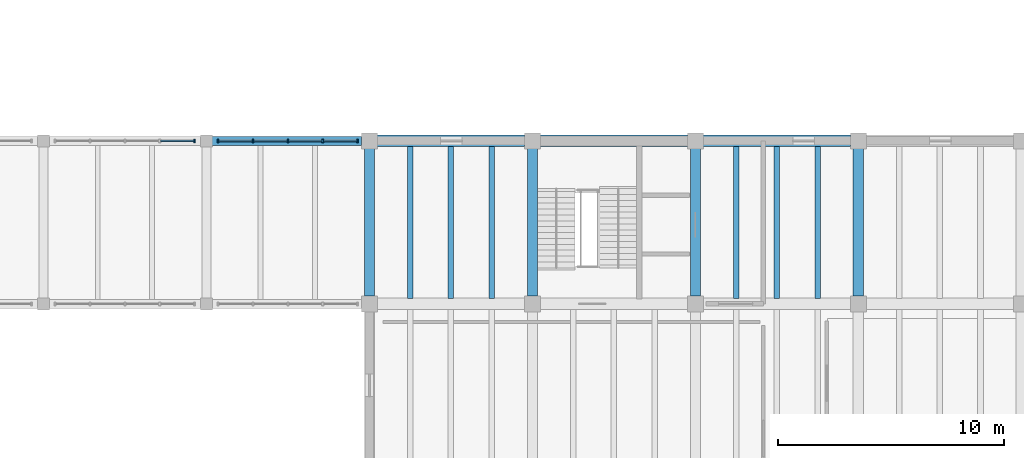
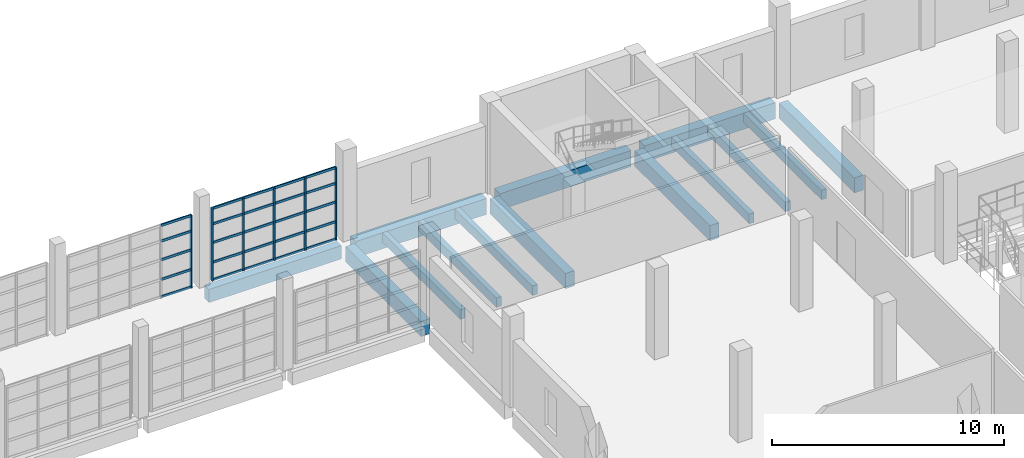
# One storey, part 46 of 77: 31 members, 14 beams, 2 elements without a shape of their own.
"""IFC4 building model written with IfcOpenShell, lengths in metres."""

from ifc_helpers import new_model, si_unit, direction, frame, origin, origin_2d, place, context, subcontext, project, spatial, rectangle, extrude, material, material_profile, profile_set, type_object, element, aggregate, save


model = new_model("IFC4")

# Units and contexts
model_context = context("Model", 3, precision=1e-05, world=origin(), true_north=direction((0.0, 1.0)))
body_context = subcontext(model_context, "Body", "Model", "MODEL_VIEW")
ifc_project = project(units=[si_unit("LENGTHUNIT", "METRE"), si_unit("AREAUNIT", "SQUARE_METRE"), si_unit("VOLUMEUNIT", "CUBIC_METRE"), si_unit("PLANEANGLEUNIT", "RADIAN"), si_unit("MASSUNIT", "GRAM", prefix="KILO")], contexts=[model_context])

# Site, building, storey
site_placement = place(None, origin())
site = spatial("IfcSite", under=ifc_project, at=site_placement, CompositionType="ELEMENT")
building_placement = place(site_placement, origin())
building = spatial("IfcBuilding", under=site, at=building_placement, Name="Qiaolan Assembly House", CompositionType="ELEMENT")
storey_placement = place(building_placement, frame((0.0, 0.0, 5.39990234375)))
storey = spatial("IfcBuildingStorey", under=building, at=storey_placement, Name="L01", CompositionType="ELEMENT", Elevation=5.39990234375)

# Beams
ifc_material_1 = material(Name="Concrete C40/50", Category="concrete")
ifc_material_profile_1 = material_profile(ifc_material_1, rectangle(XDim=0.39990234375, YDim=0.699951171875, at=origin_2d()), Name="RCB 400x700")
ifc_profile_set_1 = profile_set([ifc_material_profile_1], Name="Concrete C40/50")
beam_type_1 = type_object("IfcBeamType", Name="BM-RC-400x700", PredefinedType="BEAM", material=ifc_profile_set_1)
beam_placement = place(storey_placement, frame((129.85009765625, 86.39990234375, -0.619873046875), z_axis=(1.0, 0.0, 0.0), x_axis=(0.0, 1.0, 0.0)))
element("IfcBeam", 1, at=beam_placement, inside=storey, type_object=beam_type_1, Name="GB-05 beam BMX-CLN-L01-03-01", PredefinedType="BEAM", context=body_context, shape_type="SweptSolid", body=[
    extrude(rectangle(XDim=0.39990234375, YDim=0.699951171875, at=origin_2d()), origin(), (0.0, 0.0, 1.0), 6.60986328125),
])
ifc_material_profile_2 = material_profile(ifc_material_1, rectangle(XDim=0.449951171875, YDim=0.800048828125, at=origin_2d()), Name="RCB 450x800")
ifc_profile_set_2 = profile_set([ifc_material_profile_2], Name="Concrete C40/50")
beam_type_2 = type_object("IfcBeamType", Name="BM-RC-450x800", PredefinedType="BEAM", material=ifc_profile_set_2)
for number, where, z_axis, x_axis, name in (
    (2, (136.800048828125, 79.5400390625, -0.669921875), (0.0, 1.0, 0.0), (-1.0, 0.0, 0.0), "GB-03 beam BMY-LB-L01-00-07"),
    (3, (144.0, 79.5400390625, -0.669921875), (0.0, 1.0, 0.0), (-1.0, 0.0, 0.0), "GB-03 beam BMY-LB-L01-01-07"),
    (4, (151.199951171875, 79.5400390625, -0.669921875), (0.0, 1.0, 0.0), (-1.0, 0.0, 0.0), "GB-03 beam BMY-LB-L01-02-07"),
    (5, (158.39990234375, 79.5400390625, -0.669921875), (0.0, 1.0, 0.0), (-1.0, 0.0, 0.0), "GB-03 beam BMY-LB-L01-03-07"),
):
    element("IfcBeam", number, at=place(storey_placement, frame(where, z_axis=z_axis, x_axis=x_axis)), inside=storey, type_object=beam_type_2, Name=name, PredefinedType="BEAM", context=body_context, shape_type="SweptSolid", body=[
        extrude(rectangle(XDim=0.449951171875, YDim=0.800048828125, at=origin_2d()), origin(), (0.0, 0.0, 1.0), 6.52001953125),
    ])
ifc_material_2 = material(Name="Concrete C45/55", Category="concrete")
ifc_material_profile_3 = material_profile(ifc_material_2, rectangle(XDim=0.5, YDim=0.85009765625, at=origin_2d()), Name="RCB 500x850")
ifc_profile_set_3 = profile_set([ifc_material_profile_3], Name="Concrete C45/55")
beam_type_3 = type_object("IfcBeamType", Name="BM-RC-500x850", PredefinedType="BEAM", material=ifc_profile_set_3)
for number, where, z_axis, x_axis, name in (
    (6, (137.139892578125, 86.39990234375, -0.69482421875), (1.0, 0.0, 0.0), (0.0, 1.0, 0.0), "GB-02 beam BMX-LB-L01-00-08"),
    (7, (144.340087890625, 86.39990234375, -0.69482421875), (1.0, 0.0, 0.0), (0.0, 1.0, 0.0), "GB-02 beam BMX-LB-L01-01-08"),
    (8, (151.5400390625, 86.39990234375, -0.69482421875), (1.0, 0.0, 0.0), (0.0, 1.0, 0.0), "GB-02 beam BMX-LB-L01-02-08"),
):
    element("IfcBeam", number, at=place(storey_placement, frame(where, z_axis=z_axis, x_axis=x_axis)), inside=storey, type_object=beam_type_3, Name=name, PredefinedType="BEAM", context=body_context, shape_type="SweptSolid", body=[
        extrude(rectangle(XDim=0.5, YDim=0.85009765625, at=origin_2d()), origin(), (0.0, 0.0, 1.0), 6.52001953125),
    ])

# Curtain wall, member
ifc_material_3 = material(Name="Anodised bronze aluminium", Category="aluminium")
curtain_wall_type = type_object("IfcCurtainWallType", Name="CW-CLOISTER-420", PredefinedType="NOTDEFINED", material=ifc_material_3)
curtain_wall_1_placement = place(storey_placement, origin())
curtain_wall_1 = element("IfcCurtainWall", 9, at=curtain_wall_1_placement, inside=storey, type_object=curtain_wall_type, Name="CW-05 North Cloister outer arcade L01-3", PredefinedType="NOTDEFINED")
ifc_material_profile_4 = material_profile(ifc_material_3, rectangle(XDim=0.070068359375, YDim=0.155029296875, at=origin_2d()), Name="MUL 70x155")
ifc_profile_set_4 = profile_set([ifc_material_profile_4], Name="Anodised bronze aluminium")
member_type_1 = type_object("IfcMemberType", Name="CW-CLOISTER-420-MUL", PredefinedType="MULLION", material=ifc_profile_set_4)
member_1_placement = place(storey_placement, frame((129.080078125, 86.39990234375, 0.0), z_axis=(0.0, 0.0, 1.0), x_axis=(-1.0, 0.0, 0.0)))
member_1 = element("IfcMember", 10, at=member_1_placement, type_object=member_type_1, Name="ML-06 mullion CW-CLN-OUT-L01-2-1", PredefinedType="MULLION", context=body_context, shape_type="SweptSolid", body=[
    extrude(rectangle(XDim=0.070068359375, YDim=0.155029296875, at=origin_2d()), origin(), (0.0, 0.0, 1.0), 3.820068359375),
])

# Curtain wall, members
curtain_wall_2_placement = place(storey_placement, origin())
curtain_wall_2 = element("IfcCurtainWall", 11, at=curtain_wall_2_placement, inside=storey, type_object=curtain_wall_type, Name="CW-05 North Cloister outer arcade L01-4", PredefinedType="NOTDEFINED")
member_2_placement = place(storey_placement, frame((136.280029296875, 86.39990234375, 0.0), z_axis=(0.0, 0.0, 1.0), x_axis=(-1.0, 0.0, 0.0)))
member_2 = element("IfcMember", 12, at=member_2_placement, type_object=member_type_1, Name="ML-06 mullion CW-CLN-OUT-L01-3-1", PredefinedType="MULLION", context=body_context, shape_type="SweptSolid", body=[
    extrude(rectangle(XDim=0.070068359375, YDim=0.155029296875, at=origin_2d()), origin(), (0.0, 0.0, 1.0), 3.820068359375),
])
member_3_placement = place(storey_placement, frame((134.739990234375, 86.39990234375, 0.0), z_axis=(0.0, 0.0, 1.0), x_axis=(-1.0, 0.0, 0.0)))
member_3 = element("IfcMember", 13, at=member_3_placement, type_object=member_type_1, Name="ML-06 mullion CW-CLN-OUT-L01-3-2", PredefinedType="MULLION", context=body_context, shape_type="SweptSolid", body=[
    extrude(rectangle(XDim=0.070068359375, YDim=0.155029296875, at=origin_2d()), origin(), (0.0, 0.0, 1.0), 3.820068359375),
])
member_4_placement = place(storey_placement, frame((133.199951171875, 86.39990234375, 0.0), z_axis=(0.0, 0.0, 1.0), x_axis=(-1.0, 0.0, 0.0)))
member_4 = element("IfcMember", 14, at=member_4_placement, type_object=member_type_1, Name="ML-06 mullion CW-CLN-OUT-L01-3-3", PredefinedType="MULLION", context=body_context, shape_type="SweptSolid", body=[
    extrude(rectangle(XDim=0.070068359375, YDim=0.155029296875, at=origin_2d()), origin(), (0.0, 0.0, 1.0), 3.820068359375),
])
member_5_placement = place(storey_placement, frame((131.659912109375, 86.39990234375, 0.0), z_axis=(0.0, 0.0, 1.0), x_axis=(-1.0, 0.0, 0.0)))
member_5 = element("IfcMember", 15, at=member_5_placement, type_object=member_type_1, Name="ML-06 mullion CW-CLN-OUT-L01-3-4", PredefinedType="MULLION", context=body_context, shape_type="SweptSolid", body=[
    extrude(rectangle(XDim=0.070068359375, YDim=0.155029296875, at=origin_2d()), origin(), (0.0, 0.0, 1.0), 3.820068359375),
])
member_6_placement = place(storey_placement, frame((130.1201171875, 86.39990234375, 0.0), z_axis=(0.0, 0.0, 1.0), x_axis=(-1.0, 0.0, 0.0)))
member_6 = element("IfcMember", 16, at=member_6_placement, type_object=member_type_1, Name="ML-06 mullion CW-CLN-OUT-L01-3-5", PredefinedType="MULLION", context=body_context, shape_type="SweptSolid", body=[
    extrude(rectangle(XDim=0.070068359375, YDim=0.155029296875, at=origin_2d()), origin(), (0.0, 0.0, 1.0), 3.820068359375),
])

# Member
ifc_material_profile_5 = material_profile(ifc_material_3, rectangle(XDim=0.06201171875, YDim=0.125, at=origin_2d()), Name="TRN 62x125")
ifc_profile_set_5 = profile_set([ifc_material_profile_5], Name="Anodised bronze aluminium")
member_type_2 = type_object("IfcMemberType", Name="CW-CLOISTER-420-TRN", PredefinedType="USERDEFINED", material=ifc_profile_set_5)
member_7_placement = place(storey_placement, frame((129.044921875, 86.39990234375, 0.030029296875), z_axis=(-1.0, 0.0, 0.0), x_axis=(0.0, -1.0, 0.0)))
member_7 = element("IfcMember", 17, at=member_7_placement, type_object=member_type_2, Name="TR-06 transom CW-CLN-OUT-L01-2-1-1", ObjectType="TRANSOM", PredefinedType="USERDEFINED", context=body_context, shape_type="SweptSolid", body=[
    extrude(rectangle(XDim=0.06201171875, YDim=0.125, at=origin_2d()), origin(), (0.0, 0.0, 1.0), 1.469970703125),
])

member_8_placement = place(storey_placement, frame((129.044921875, 86.39990234375, 0.9501953125), z_axis=(-1.0, 0.0, 0.0), x_axis=(0.0, -1.0, 0.0)))
member_8 = element("IfcMember", 18, at=member_8_placement, type_object=member_type_2, Name="TR-06 transom CW-CLN-OUT-L01-2-1-2", ObjectType="TRANSOM", PredefinedType="USERDEFINED", context=body_context, shape_type="SweptSolid", body=[
    extrude(rectangle(XDim=0.06201171875, YDim=0.125, at=origin_2d()), origin(), (0.0, 0.0, 1.0), 1.469970703125),
])

member_9_placement = place(storey_placement, frame((129.044921875, 86.39990234375, 1.986572265625), z_axis=(-1.0, 0.0, 0.0), x_axis=(0.0, -1.0, 0.0)))
member_9 = element("IfcMember", 19, at=member_9_placement, type_object=member_type_2, Name="TR-06 transom CW-CLN-OUT-L01-2-1-3", ObjectType="TRANSOM", PredefinedType="USERDEFINED", context=body_context, shape_type="SweptSolid", body=[
    extrude(rectangle(XDim=0.06201171875, YDim=0.125, at=origin_2d()), origin(), (0.0, 0.0, 1.0), 1.469970703125),
])

member_10_placement = place(storey_placement, frame((129.044921875, 86.39990234375, 2.97021484375), z_axis=(-1.0, 0.0, 0.0), x_axis=(0.0, -1.0, 0.0)))
member_10 = element("IfcMember", 20, at=member_10_placement, type_object=member_type_2, Name="TR-06 transom CW-CLN-OUT-L01-2-1-4", ObjectType="TRANSOM", PredefinedType="USERDEFINED", context=body_context, shape_type="SweptSolid", body=[
    extrude(rectangle(XDim=0.06201171875, YDim=0.125, at=origin_2d()), origin(), (0.0, 0.0, 1.0), 1.469970703125),
])

member_11_placement = place(storey_placement, frame((129.044921875, 86.39990234375, 3.7900390625), z_axis=(-1.0, 0.0, 0.0), x_axis=(0.0, -1.0, 0.0)))
member_11 = element("IfcMember", 21, at=member_11_placement, type_object=member_type_2, Name="TR-06 transom CW-CLN-OUT-L01-2-1-5", ObjectType="TRANSOM", PredefinedType="USERDEFINED", context=body_context, shape_type="SweptSolid", body=[
    extrude(rectangle(XDim=0.06201171875, YDim=0.125, at=origin_2d()), origin(), (0.0, 0.0, 1.0), 1.469970703125),
])

aggregate(curtain_wall_1, [member_1, member_7, member_8, member_9, member_10, member_11])

member_12_placement = place(storey_placement, frame((136.2451171875, 86.39990234375, 0.030029296875), z_axis=(-1.0, 0.0, 0.0), x_axis=(0.0, -1.0, 0.0)))
member_12 = element("IfcMember", 22, at=member_12_placement, type_object=member_type_2, Name="TR-06 transom CW-CLN-OUT-L01-3-1-1", ObjectType="TRANSOM", PredefinedType="USERDEFINED", context=body_context, shape_type="SweptSolid", body=[
    extrude(rectangle(XDim=0.06201171875, YDim=0.125, at=origin_2d()), origin(), (0.0, 0.0, 1.0), 1.47021484375),
])

member_13_placement = place(storey_placement, frame((136.2451171875, 86.39990234375, 0.9501953125), z_axis=(-1.0, 0.0, 0.0), x_axis=(0.0, -1.0, 0.0)))
member_13 = element("IfcMember", 23, at=member_13_placement, type_object=member_type_2, Name="TR-06 transom CW-CLN-OUT-L01-3-1-2", ObjectType="TRANSOM", PredefinedType="USERDEFINED", context=body_context, shape_type="SweptSolid", body=[
    extrude(rectangle(XDim=0.06201171875, YDim=0.125, at=origin_2d()), origin(), (0.0, 0.0, 1.0), 1.47021484375),
])

member_14_placement = place(storey_placement, frame((136.2451171875, 86.39990234375, 1.986572265625), z_axis=(-1.0, 0.0, 0.0), x_axis=(0.0, -1.0, 0.0)))
member_14 = element("IfcMember", 24, at=member_14_placement, type_object=member_type_2, Name="TR-06 transom CW-CLN-OUT-L01-3-1-3", ObjectType="TRANSOM", PredefinedType="USERDEFINED", context=body_context, shape_type="SweptSolid", body=[
    extrude(rectangle(XDim=0.06201171875, YDim=0.125, at=origin_2d()), origin(), (0.0, 0.0, 1.0), 1.47021484375),
])

member_15_placement = place(storey_placement, frame((136.2451171875, 86.39990234375, 2.97021484375), z_axis=(-1.0, 0.0, 0.0), x_axis=(0.0, -1.0, 0.0)))
member_15 = element("IfcMember", 25, at=member_15_placement, type_object=member_type_2, Name="TR-06 transom CW-CLN-OUT-L01-3-1-4", ObjectType="TRANSOM", PredefinedType="USERDEFINED", context=body_context, shape_type="SweptSolid", body=[
    extrude(rectangle(XDim=0.06201171875, YDim=0.125, at=origin_2d()), origin(), (0.0, 0.0, 1.0), 1.47021484375),
])

member_16_placement = place(storey_placement, frame((136.2451171875, 86.39990234375, 3.7900390625), z_axis=(-1.0, 0.0, 0.0), x_axis=(0.0, -1.0, 0.0)))
member_16 = element("IfcMember", 26, at=member_16_placement, type_object=member_type_2, Name="TR-06 transom CW-CLN-OUT-L01-3-1-5", ObjectType="TRANSOM", PredefinedType="USERDEFINED", context=body_context, shape_type="SweptSolid", body=[
    extrude(rectangle(XDim=0.06201171875, YDim=0.125, at=origin_2d()), origin(), (0.0, 0.0, 1.0), 1.47021484375),
])

member_17_placement = place(storey_placement, frame((134.705078125, 86.39990234375, 0.030029296875), z_axis=(-1.0, 0.0, 0.0), x_axis=(0.0, -1.0, 0.0)))
member_17 = element("IfcMember", 27, at=member_17_placement, type_object=member_type_2, Name="TR-06 transom CW-CLN-OUT-L01-3-2-1", ObjectType="TRANSOM", PredefinedType="USERDEFINED", context=body_context, shape_type="SweptSolid", body=[
    extrude(rectangle(XDim=0.06201171875, YDim=0.125, at=origin_2d()), origin(), (0.0, 0.0, 1.0), 1.469970703125),
])

member_18_placement = place(storey_placement, frame((134.705078125, 86.39990234375, 0.9501953125), z_axis=(-1.0, 0.0, 0.0), x_axis=(0.0, -1.0, 0.0)))
member_18 = element("IfcMember", 28, at=member_18_placement, type_object=member_type_2, Name="TR-06 transom CW-CLN-OUT-L01-3-2-2", ObjectType="TRANSOM", PredefinedType="USERDEFINED", context=body_context, shape_type="SweptSolid", body=[
    extrude(rectangle(XDim=0.06201171875, YDim=0.125, at=origin_2d()), origin(), (0.0, 0.0, 1.0), 1.469970703125),
])

member_19_placement = place(storey_placement, frame((134.705078125, 86.39990234375, 1.986572265625), z_axis=(-1.0, 0.0, 0.0), x_axis=(0.0, -1.0, 0.0)))
member_19 = element("IfcMember", 29, at=member_19_placement, type_object=member_type_2, Name="TR-06 transom CW-CLN-OUT-L01-3-2-3", ObjectType="TRANSOM", PredefinedType="USERDEFINED", context=body_context, shape_type="SweptSolid", body=[
    extrude(rectangle(XDim=0.06201171875, YDim=0.125, at=origin_2d()), origin(), (0.0, 0.0, 1.0), 1.469970703125),
])

member_20_placement = place(storey_placement, frame((134.705078125, 86.39990234375, 2.97021484375), z_axis=(-1.0, 0.0, 0.0), x_axis=(0.0, -1.0, 0.0)))
member_20 = element("IfcMember", 30, at=member_20_placement, type_object=member_type_2, Name="TR-06 transom CW-CLN-OUT-L01-3-2-4", ObjectType="TRANSOM", PredefinedType="USERDEFINED", context=body_context, shape_type="SweptSolid", body=[
    extrude(rectangle(XDim=0.06201171875, YDim=0.125, at=origin_2d()), origin(), (0.0, 0.0, 1.0), 1.469970703125),
])

member_21_placement = place(storey_placement, frame((134.705078125, 86.39990234375, 3.7900390625), z_axis=(-1.0, 0.0, 0.0), x_axis=(0.0, -1.0, 0.0)))
member_21 = element("IfcMember", 31, at=member_21_placement, type_object=member_type_2, Name="TR-06 transom CW-CLN-OUT-L01-3-2-5", ObjectType="TRANSOM", PredefinedType="USERDEFINED", context=body_context, shape_type="SweptSolid", body=[
    extrude(rectangle(XDim=0.06201171875, YDim=0.125, at=origin_2d()), origin(), (0.0, 0.0, 1.0), 1.469970703125),
])

member_22_placement = place(storey_placement, frame((133.1650390625, 86.39990234375, 0.030029296875), z_axis=(-1.0, 0.0, 0.0), x_axis=(0.0, -1.0, 0.0)))
member_22 = element("IfcMember", 32, at=member_22_placement, type_object=member_type_2, Name="TR-06 transom CW-CLN-OUT-L01-3-3-1", ObjectType="TRANSOM", PredefinedType="USERDEFINED", context=body_context, shape_type="SweptSolid", body=[
    extrude(rectangle(XDim=0.06201171875, YDim=0.125, at=origin_2d()), origin(), (0.0, 0.0, 1.0), 1.469970703125),
])

member_23_placement = place(storey_placement, frame((133.1650390625, 86.39990234375, 0.9501953125), z_axis=(-1.0, 0.0, 0.0), x_axis=(0.0, -1.0, 0.0)))
member_23 = element("IfcMember", 33, at=member_23_placement, type_object=member_type_2, Name="TR-06 transom CW-CLN-OUT-L01-3-3-2", ObjectType="TRANSOM", PredefinedType="USERDEFINED", context=body_context, shape_type="SweptSolid", body=[
    extrude(rectangle(XDim=0.06201171875, YDim=0.125, at=origin_2d()), origin(), (0.0, 0.0, 1.0), 1.469970703125),
])

member_24_placement = place(storey_placement, frame((133.1650390625, 86.39990234375, 1.986572265625), z_axis=(-1.0, 0.0, 0.0), x_axis=(0.0, -1.0, 0.0)))
member_24 = element("IfcMember", 34, at=member_24_placement, type_object=member_type_2, Name="TR-06 transom CW-CLN-OUT-L01-3-3-3", ObjectType="TRANSOM", PredefinedType="USERDEFINED", context=body_context, shape_type="SweptSolid", body=[
    extrude(rectangle(XDim=0.06201171875, YDim=0.125, at=origin_2d()), origin(), (0.0, 0.0, 1.0), 1.469970703125),
])

member_25_placement = place(storey_placement, frame((133.1650390625, 86.39990234375, 2.97021484375), z_axis=(-1.0, 0.0, 0.0), x_axis=(0.0, -1.0, 0.0)))
member_25 = element("IfcMember", 35, at=member_25_placement, type_object=member_type_2, Name="TR-06 transom CW-CLN-OUT-L01-3-3-4", ObjectType="TRANSOM", PredefinedType="USERDEFINED", context=body_context, shape_type="SweptSolid", body=[
    extrude(rectangle(XDim=0.06201171875, YDim=0.125, at=origin_2d()), origin(), (0.0, 0.0, 1.0), 1.469970703125),
])

member_26_placement = place(storey_placement, frame((133.1650390625, 86.39990234375, 3.7900390625), z_axis=(-1.0, 0.0, 0.0), x_axis=(0.0, -1.0, 0.0)))
member_26 = element("IfcMember", 36, at=member_26_placement, type_object=member_type_2, Name="TR-06 transom CW-CLN-OUT-L01-3-3-5", ObjectType="TRANSOM", PredefinedType="USERDEFINED", context=body_context, shape_type="SweptSolid", body=[
    extrude(rectangle(XDim=0.06201171875, YDim=0.125, at=origin_2d()), origin(), (0.0, 0.0, 1.0), 1.469970703125),
])

member_27_placement = place(storey_placement, frame((131.625, 86.39990234375, 0.030029296875), z_axis=(-1.0, 0.0, 0.0), x_axis=(0.0, -1.0, 0.0)))
member_27 = element("IfcMember", 37, at=member_27_placement, type_object=member_type_2, Name="TR-06 transom CW-CLN-OUT-L01-3-4-1", ObjectType="TRANSOM", PredefinedType="USERDEFINED", context=body_context, shape_type="SweptSolid", body=[
    extrude(rectangle(XDim=0.06201171875, YDim=0.125, at=origin_2d()), origin(), (0.0, 0.0, 1.0), 1.469970703125),
])

member_28_placement = place(storey_placement, frame((131.625, 86.39990234375, 0.9501953125), z_axis=(-1.0, 0.0, 0.0), x_axis=(0.0, -1.0, 0.0)))
member_28 = element("IfcMember", 38, at=member_28_placement, type_object=member_type_2, Name="TR-06 transom CW-CLN-OUT-L01-3-4-2", ObjectType="TRANSOM", PredefinedType="USERDEFINED", context=body_context, shape_type="SweptSolid", body=[
    extrude(rectangle(XDim=0.06201171875, YDim=0.125, at=origin_2d()), origin(), (0.0, 0.0, 1.0), 1.469970703125),
])

member_29_placement = place(storey_placement, frame((131.625, 86.39990234375, 1.986572265625), z_axis=(-1.0, 0.0, 0.0), x_axis=(0.0, -1.0, 0.0)))
member_29 = element("IfcMember", 39, at=member_29_placement, type_object=member_type_2, Name="TR-06 transom CW-CLN-OUT-L01-3-4-3", ObjectType="TRANSOM", PredefinedType="USERDEFINED", context=body_context, shape_type="SweptSolid", body=[
    extrude(rectangle(XDim=0.06201171875, YDim=0.125, at=origin_2d()), origin(), (0.0, 0.0, 1.0), 1.469970703125),
])

member_30_placement = place(storey_placement, frame((131.625, 86.39990234375, 2.97021484375), z_axis=(-1.0, 0.0, 0.0), x_axis=(0.0, -1.0, 0.0)))
member_30 = element("IfcMember", 40, at=member_30_placement, type_object=member_type_2, Name="TR-06 transom CW-CLN-OUT-L01-3-4-4", ObjectType="TRANSOM", PredefinedType="USERDEFINED", context=body_context, shape_type="SweptSolid", body=[
    extrude(rectangle(XDim=0.06201171875, YDim=0.125, at=origin_2d()), origin(), (0.0, 0.0, 1.0), 1.469970703125),
])

member_31_placement = place(storey_placement, frame((131.625, 86.39990234375, 3.7900390625), z_axis=(-1.0, 0.0, 0.0), x_axis=(0.0, -1.0, 0.0)))
member_31 = element("IfcMember", 41, at=member_31_placement, type_object=member_type_2, Name="TR-06 transom CW-CLN-OUT-L01-3-4-5", ObjectType="TRANSOM", PredefinedType="USERDEFINED", context=body_context, shape_type="SweptSolid", body=[
    extrude(rectangle(XDim=0.06201171875, YDim=0.125, at=origin_2d()), origin(), (0.0, 0.0, 1.0), 1.469970703125),
])

aggregate(curtain_wall_2, [member_2, member_3, member_4, member_5, member_6, member_12, member_13, member_14, member_15, member_16, member_17, member_18, member_19, member_20, member_21, member_22, member_23, member_24, member_25, member_26, member_27, member_28, member_29, member_30, member_31])

# Beams
ifc_material_profile_6 = material_profile(ifc_material_1, rectangle(XDim=0.25, YDim=0.5, at=origin_2d()), Name="RCB 250x500")
ifc_profile_set_6 = profile_set([ifc_material_profile_6], Name="Concrete C40/50")
beam_type_4 = type_object("IfcBeamType", Name="JST-RC-250x500", PredefinedType="JOIST", material=ifc_profile_set_6)
for number, where, z_axis, x_axis, name in (
    (42, (138.60009765625, 79.444091796875, -0.52001953125), (0.0, 1.0, 0.0), (-1.0, 0.0, 0.0), "RJ-01 beam JST-LB-L01-00-07-1"),
    (43, (140.39990234375, 79.444091796875, -0.52001953125), (0.0, 1.0, 0.0), (-1.0, 0.0, 0.0), "RJ-01 beam JST-LB-L01-00-07-2"),
    (44, (142.199951171875, 79.444091796875, -0.52001953125), (0.0, 1.0, 0.0), (-1.0, 0.0, 0.0), "RJ-01 beam JST-LB-L01-00-07-3"),
    (45, (153.0, 79.444091796875, -0.52001953125), (0.0, 1.0, 0.0), (-1.0, 0.0, 0.0), "RJ-01 beam JST-LB-L01-02-07-1"),
    (46, (154.800048828125, 79.444091796875, -0.52001953125), (0.0, 1.0, 0.0), (-1.0, 0.0, 0.0), "RJ-01 beam JST-LB-L01-02-07-2"),
    (47, (156.60009765625, 79.444091796875, -0.52001953125), (0.0, 1.0, 0.0), (-1.0, 0.0, 0.0), "RJ-01 beam JST-LB-L01-02-07-3"),
):
    element("IfcBeam", number, at=place(storey_placement, frame(where, z_axis=z_axis, x_axis=x_axis)), inside=storey, type_object=beam_type_4, Name=name, PredefinedType="JOIST", context=body_context, shape_type="SweptSolid", body=[
        extrude(rectangle(XDim=0.25, YDim=0.5, at=origin_2d()), origin(), (0.0, 0.0, 1.0), 6.7119140625),
    ])

save(model, "model.ifc")
